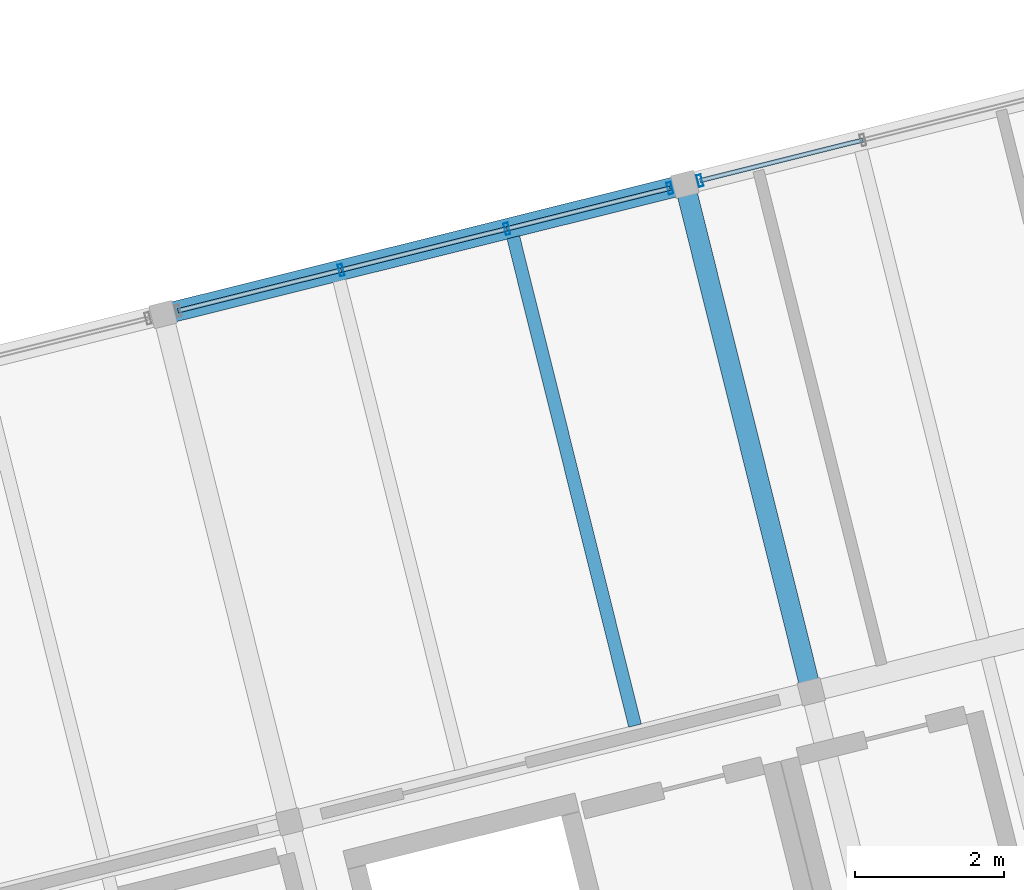
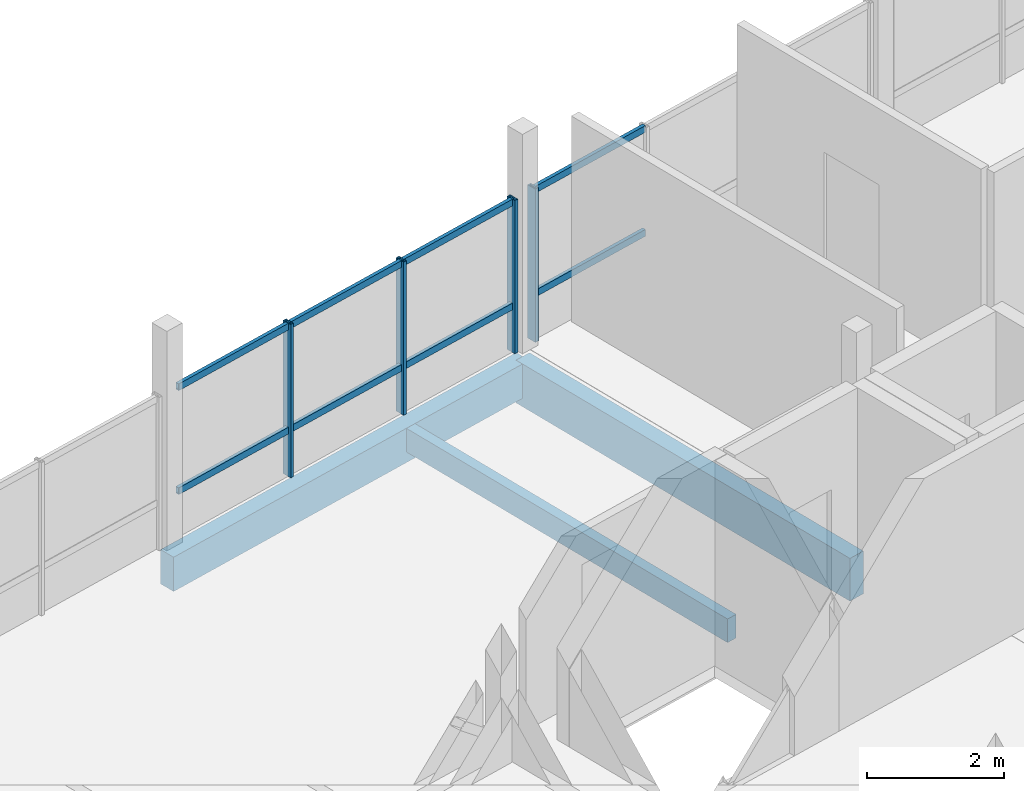
# One storey, part 12 of 24: 12 members, 3 beams, 2 elements without a shape of their own.
"""IFC4 building model written with IfcOpenShell, lengths in metres."""

from ifc_helpers import new_model, si_unit, direction, frame, origin, origin_2d, place, context, subcontext, project, spatial, rectangle, hollow_rectangle, extrude, material, layer, layer_set, material_profile, profile_set, type_object, element, aggregate, save


model = new_model("IFC4")

# Units and contexts
model_context = context("Model", 3, precision=1e-05, world=origin(), true_north=direction((0.0, 1.0)))
body_context = subcontext(model_context, "Body", "Model", "MODEL_VIEW")
ifc_project = project(units=[si_unit("LENGTHUNIT", "METRE"), si_unit("AREAUNIT", "SQUARE_METRE"), si_unit("VOLUMEUNIT", "CUBIC_METRE"), si_unit("PLANEANGLEUNIT", "RADIAN"), si_unit("MASSUNIT", "GRAM", prefix="KILO")], contexts=[model_context])

# Site, building, storey
site_placement = place(None, origin())
site = spatial("IfcSite", under=ifc_project, at=site_placement, CompositionType="ELEMENT")
building_placement = place(site_placement, origin())
building = spatial("IfcBuilding", under=site, at=building_placement, Name="Meriwether Solvik Hall", CompositionType="ELEMENT")
storey_placement = place(building_placement, frame((0.0, 0.0, 57.300048828125)))
storey = spatial("IfcBuildingStorey", under=building, at=storey_placement, Name="L14", CompositionType="ELEMENT", Elevation=57.300048828125)

# Beams
ifc_material_1 = material(Name="Glulam Douglas-Fir 24F-V8 GL28h", Category="wood")
ifc_material_profile_1 = material_profile(ifc_material_1, rectangle(XDim=0.27294921875, YDim=0.610107421875, at=origin_2d()), Name="GLB-273X610")
ifc_profile_set_1 = profile_set([ifc_material_profile_1], Name="Glulam Douglas-Fir 24F-V8 GL28h")
beam_type_1 = type_object("IfcBeamType", Name="BM-GL-273X610", PredefinedType="SPANDREL", material=ifc_profile_set_1)
beam_1_placement = place(storey_placement, frame((69.200439453125, 70.206787109375, -0.505126953125), z_axis=(0.970291911955, 0.241937193493, 0.0), x_axis=(-0.241937193493, 0.970291911955, 0.0)))
element("IfcBeam", 1, at=beam_1_placement, inside=storey, type_object=beam_type_1, Name="Tower Girder TE:T2-T3 (L14)", PredefinedType="SPANDREL", context=body_context, shape_type="SweptSolid", body=[
    extrude(rectangle(XDim=0.27294921875, YDim=0.610107421875, at=origin_2d()), origin(), (0.0, 0.0, 1.0), 7.199951171875),
])
ifc_material_2 = material(Name="Glulam Douglas-Fir 24F-V8 GL28h", Category="wood")
ifc_material_profile_2 = material_profile(ifc_material_2, rectangle(XDim=0.27294921875, YDim=0.760009765625, at=origin_2d()), Name="GLB-273X760")
ifc_profile_set_2 = profile_set([ifc_material_profile_2], Name="Glulam Douglas-Fir 24F-V8 GL28h")
beam_type_2 = type_object("IfcBeamType", Name="BM-GL-273X760", PredefinedType="BEAM", material=ifc_profile_set_2)
beam_2_placement = place(storey_placement, frame((77.880126953125, 65.15673828125, -0.580078125), z_axis=(-0.241944715397, 0.970290036376, 0.0), x_axis=(-0.970290036376, -0.241944715397, 0.0)))
element("IfcBeam", 2, at=beam_2_placement, inside=storey, type_object=beam_type_2, Name="Tower Girder T3:TD-TE (L14)", PredefinedType="BEAM", context=body_context, shape_type="SweptSolid", body=[
    extrude(rectangle(XDim=0.27294921875, YDim=0.760009765625, at=origin_2d()), origin(), (0.0, 0.0, 1.0), 7.0),
])

# Curtain wall, members
ifc_material_3 = material(Name="Thermally Broken Anodised Aluminium 6063-T6 and Low-E Glass", Category="aluminium")
ifc_layer_1 = layer(ifc_material_3, 0.179931640625)
ifc_layer_set_1 = layer_set([ifc_layer_1], Name="Thermally Broken Anodised Aluminium 6063-T6 and Low-E Glass")
curtain_wall_type_1 = type_object("IfcCurtainWallType", Name="CW-UNIT-A", PredefinedType="USERDEFINED", material=ifc_layer_set_1)
curtain_wall_1_placement = place(storey_placement, origin())
curtain_wall_1 = element("IfcCurtainWall", 3, at=curtain_wall_1_placement, inside=storey, type_object=curtain_wall_type_1, Name="Curtain Wall E2_B1 (L14)", ObjectType="UNITISED CURTAIN WALL", PredefinedType="USERDEFINED")
ifc_material_4 = material(Name="Anodised Aluminium 6063-T6", Category="aluminium")
ifc_material_profile_3 = material_profile(ifc_material_4, hollow_rectangle(XDim=0.06005859375, YDim=0.159912109375, WallThickness=0.00390625, at=origin_2d()), Name="CWM-60X160")
ifc_profile_set_3 = profile_set([ifc_material_profile_3], Name="Anodised Aluminium 6063-T6")
member_type_1 = type_object("IfcMemberType", Name="CW-MUL-60X160", PredefinedType="MULLION", material=ifc_profile_set_3)
member_1_placement = place(storey_placement, frame((71.583984375, 70.80126953125, 0.0), z_axis=(0.0, 0.0, 1.0), x_axis=(0.970295730764, 0.241921877598, 0.0)))
member_1 = element("IfcMember", 4, at=member_1_placement, type_object=member_type_1, Name="Curtain Wall Mullion 2", PredefinedType="MULLION", context=body_context, shape_type="SweptSolid", body=[
    extrude(hollow_rectangle(XDim=0.06005859375, YDim=0.159912109375, WallThickness=0.00390625, at=origin_2d()), origin(), (0.0, 0.0, 1.0), 2.724853515625),
])
member_2_placement = place(storey_placement, frame((73.802978515625, 71.3544921875, 0.0), z_axis=(0.0, 0.0, 1.0), x_axis=(0.970295730764, 0.241921877598, 0.0)))
member_2 = element("IfcMember", 5, at=member_2_placement, type_object=member_type_1, Name="Curtain Wall Mullion 3", PredefinedType="MULLION", context=body_context, shape_type="SweptSolid", body=[
    extrude(hollow_rectangle(XDim=0.06005859375, YDim=0.159912109375, WallThickness=0.00390625, at=origin_2d()), origin(), (0.0, 0.0, 1.0), 2.724853515625),
])
member_3_placement = place(storey_placement, frame((75.9853515625, 71.8984375, 0.0), z_axis=(0.0, 0.0, 1.0), x_axis=(0.970295730764, 0.241921877598, 0.0)))
member_3 = element("IfcMember", 6, at=member_3_placement, type_object=member_type_1, Name="Curtain Wall Mullion 4", PredefinedType="MULLION", context=body_context, shape_type="SweptSolid", body=[
    extrude(hollow_rectangle(XDim=0.06005859375, YDim=0.159912109375, WallThickness=0.00390625, at=origin_2d()), origin(), (0.0, 0.0, 1.0), 2.724853515625),
])

# Curtain wall, member
ifc_material_5 = material(Name="Thermally Broken Anodised Aluminium 6063-T6 and Low-E Glass", Category="aluminium")
ifc_layer_2 = layer(ifc_material_5, 0.179931640625)
ifc_layer_set_2 = layer_set([ifc_layer_2], Name="Thermally Broken Anodised Aluminium 6063-T6 and Low-E Glass")
curtain_wall_type_2 = type_object("IfcCurtainWallType", Name="CW-UNIT-B", PredefinedType="USERDEFINED", material=ifc_layer_set_2)
curtain_wall_2_placement = place(storey_placement, origin())
curtain_wall_2 = element("IfcCurtainWall", 7, at=curtain_wall_2_placement, inside=storey, type_object=curtain_wall_type_2, Name="Curtain Wall E2_B2 (L14)", ObjectType="UNITISED CURTAIN WALL", PredefinedType="USERDEFINED")
member_4_placement = place(storey_placement, frame((76.387939453125, 71.9990234375, 0.0), z_axis=(0.0, 0.0, 1.0), x_axis=(0.970295730764, 0.241921877598, 0.0)))
member_4 = element("IfcMember", 8, at=member_4_placement, type_object=member_type_1, Name="Curtain Wall Mullion 1", PredefinedType="MULLION", context=body_context, shape_type="SweptSolid", body=[
    extrude(hollow_rectangle(XDim=0.06005859375, YDim=0.159912109375, WallThickness=0.00390625, at=origin_2d()), origin(), (0.0, 0.0, 1.0), 2.724853515625),
])

# Member
ifc_material_6 = material(Name="Anodised Aluminium 6063-T6", Category="aluminium")
ifc_material_profile_4 = material_profile(ifc_material_6, hollow_rectangle(XDim=0.06005859375, YDim=0.1201171875, WallThickness=0.00390625, at=origin_2d()), Name="CWT-60X120")
ifc_profile_set_4 = profile_set([ifc_material_profile_4], Name="Anodised Aluminium 6063-T6")
member_type_2 = type_object("IfcMemberType", Name="CW-TRN-60X120", PredefinedType="USERDEFINED", material=ifc_profile_set_4)
member_5_placement = place(storey_placement, frame((69.40185546875, 70.257080078125, 0.8173828125), z_axis=(0.970282822978, 0.241973642025, 0.0), x_axis=(-0.241973642025, 0.970282822978, 0.0)))
member_5 = element("IfcMember", 9, at=member_5_placement, type_object=member_type_2, Name="Curtain Wall Transom 1-sill", ObjectType="TRANSOM", PredefinedType="USERDEFINED", context=body_context, shape_type="SweptSolid", body=[
    extrude(hollow_rectangle(XDim=0.06005859375, YDim=0.1201171875, WallThickness=0.00390625, at=origin_2d()), origin(), (0.0, 0.0, 1.0), 2.2490234375),
])

member_6_placement = place(storey_placement, frame((69.40185546875, 70.257080078125, 2.6650390625), z_axis=(0.970282822978, 0.241973642025, 0.0), x_axis=(-0.241973642025, 0.970282822978, 0.0)))
member_6 = element("IfcMember", 10, at=member_6_placement, type_object=member_type_2, Name="Curtain Wall Transom 1-head", ObjectType="TRANSOM", PredefinedType="USERDEFINED", context=body_context, shape_type="SweptSolid", body=[
    extrude(hollow_rectangle(XDim=0.06005859375, YDim=0.1201171875, WallThickness=0.00390625, at=origin_2d()), origin(), (0.0, 0.0, 1.0), 2.2490234375),
])

member_7_placement = place(storey_placement, frame((71.583984375, 70.80126953125, 0.8173828125), z_axis=(0.97029929005, 0.241907601634, 0.0), x_axis=(-0.241907601634, 0.97029929005, 0.0)))
member_7 = element("IfcMember", 11, at=member_7_placement, type_object=member_type_2, Name="Curtain Wall Transom 2-sill", ObjectType="TRANSOM", PredefinedType="USERDEFINED", context=body_context, shape_type="SweptSolid", body=[
    extrude(hollow_rectangle(XDim=0.06005859375, YDim=0.1201171875, WallThickness=0.00390625, at=origin_2d()), origin(), (0.0, 0.0, 1.0), 2.286865234375),
])

member_8_placement = place(storey_placement, frame((71.583984375, 70.80126953125, 2.6650390625), z_axis=(0.97029929005, 0.241907601634, 0.0), x_axis=(-0.241907601634, 0.97029929005, 0.0)))
member_8 = element("IfcMember", 12, at=member_8_placement, type_object=member_type_2, Name="Curtain Wall Transom 2-head", ObjectType="TRANSOM", PredefinedType="USERDEFINED", context=body_context, shape_type="SweptSolid", body=[
    extrude(hollow_rectangle(XDim=0.06005859375, YDim=0.1201171875, WallThickness=0.00390625, at=origin_2d()), origin(), (0.0, 0.0, 1.0), 2.286865234375),
])

member_9_placement = place(storey_placement, frame((73.802978515625, 71.3544921875, 0.8173828125), z_axis=(0.970314655542, 0.241845961802, 0.0), x_axis=(-0.241845961802, 0.970314655542, 0.0)))
member_9 = element("IfcMember", 13, at=member_9_placement, type_object=member_type_2, Name="Curtain Wall Transom 3-sill", ObjectType="TRANSOM", PredefinedType="USERDEFINED", context=body_context, shape_type="SweptSolid", body=[
    extrude(hollow_rectangle(XDim=0.06005859375, YDim=0.1201171875, WallThickness=0.00390625, at=origin_2d()), origin(), (0.0, 0.0, 1.0), 2.2490234375),
])

member_10_placement = place(storey_placement, frame((73.802978515625, 71.3544921875, 2.6650390625), z_axis=(0.970314655542, 0.241845961802, 0.0), x_axis=(-0.241845961802, 0.970314655542, 0.0)))
member_10 = element("IfcMember", 14, at=member_10_placement, type_object=member_type_2, Name="Curtain Wall Transom 3-head", ObjectType="TRANSOM", PredefinedType="USERDEFINED", context=body_context, shape_type="SweptSolid", body=[
    extrude(hollow_rectangle(XDim=0.06005859375, YDim=0.1201171875, WallThickness=0.00390625, at=origin_2d()), origin(), (0.0, 0.0, 1.0), 2.2490234375),
])

aggregate(curtain_wall_1, [member_1, member_2, member_3, member_5, member_6, member_7, member_8, member_9, member_10])

member_11_placement = place(storey_placement, frame((76.387939453125, 71.9990234375, 0.8173828125), z_axis=(0.970308305597, 0.241871437108, 0.0), x_axis=(-0.241871437108, 0.970308305597, 0.0)))
member_11 = element("IfcMember", 15, at=member_11_placement, type_object=member_type_2, Name="Curtain Wall Transom 1-sill", ObjectType="TRANSOM", PredefinedType="USERDEFINED", context=body_context, shape_type="SweptSolid", body=[
    extrude(hollow_rectangle(XDim=0.06005859375, YDim=0.1201171875, WallThickness=0.00390625, at=origin_2d()), origin(), (0.0, 0.0, 1.0), 2.2490234375),
])

member_12_placement = place(storey_placement, frame((76.387939453125, 71.9990234375, 2.6650390625), z_axis=(0.970308305597, 0.241871437108, 0.0), x_axis=(-0.241871437108, 0.970308305597, 0.0)))
member_12 = element("IfcMember", 16, at=member_12_placement, type_object=member_type_2, Name="Curtain Wall Transom 1-head", ObjectType="TRANSOM", PredefinedType="USERDEFINED", context=body_context, shape_type="SweptSolid", body=[
    extrude(hollow_rectangle(XDim=0.06005859375, YDim=0.1201171875, WallThickness=0.00390625, at=origin_2d()), origin(), (0.0, 0.0, 1.0), 2.2490234375),
])

aggregate(curtain_wall_2, [member_4, member_11, member_12])

# Beam
ifc_material_7 = material(Name="Glulam Douglas-Fir 24F-V8 GL28h", Category="wood")
ifc_material_profile_5 = material_profile(ifc_material_7, rectangle(XDim=0.175048828125, YDim=0.419921875, at=origin_2d()), Name="GLJ-175X420")
ifc_profile_set_5 = profile_set([ifc_material_profile_5], Name="Glulam Douglas-Fir 24F-V8 GL28h")
beam_type_3 = type_object("IfcBeamType", Name="JST-GL-175X420", PredefinedType="JOIST", material=ifc_profile_set_5)
beam_3_placement = place(storey_placement, frame((75.51953125, 64.70361328125, -0.41015625), z_axis=(-0.241930176813, 0.9702936615, 0.0), x_axis=(-0.9702936615, -0.241930176813, 0.0)))
element("IfcBeam", 17, at=beam_3_placement, inside=storey, type_object=beam_type_3, Name="Glulam Floor Joist T2/TD-J2 (L14)", PredefinedType="JOIST", context=body_context, shape_type="SweptSolid", body=[
    extrude(rectangle(XDim=0.175048828125, YDim=0.419921875, at=origin_2d()), origin(), (0.0, 0.0, 1.0), 6.737060546875),
])

save(model, "model.ifc")
